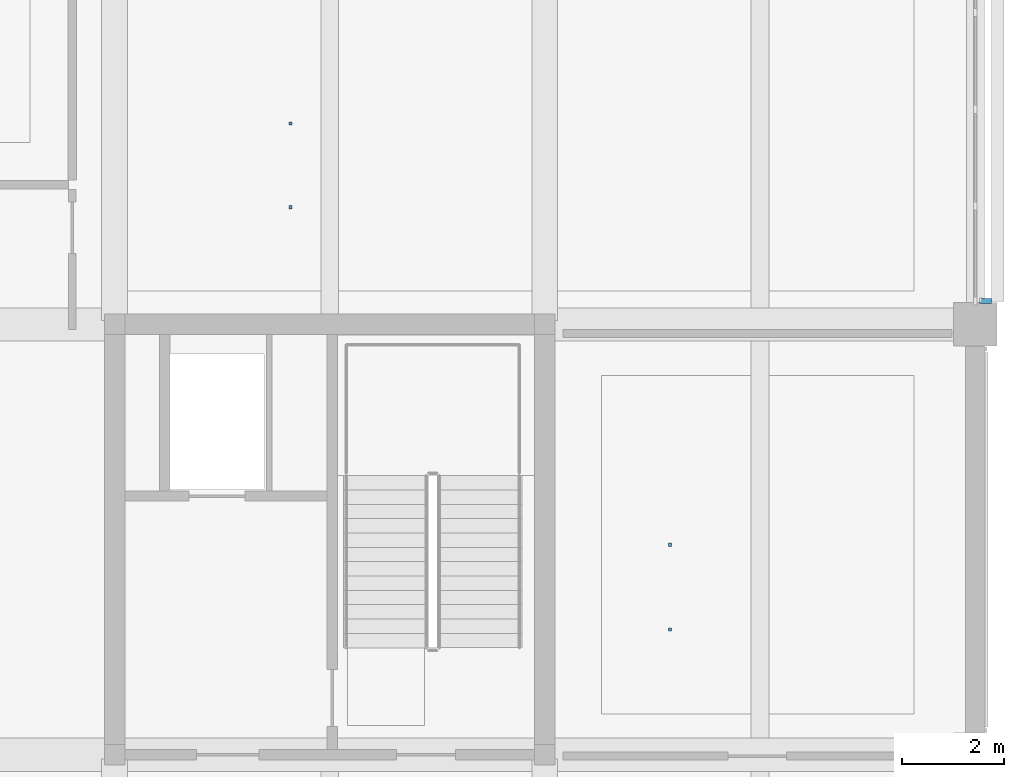
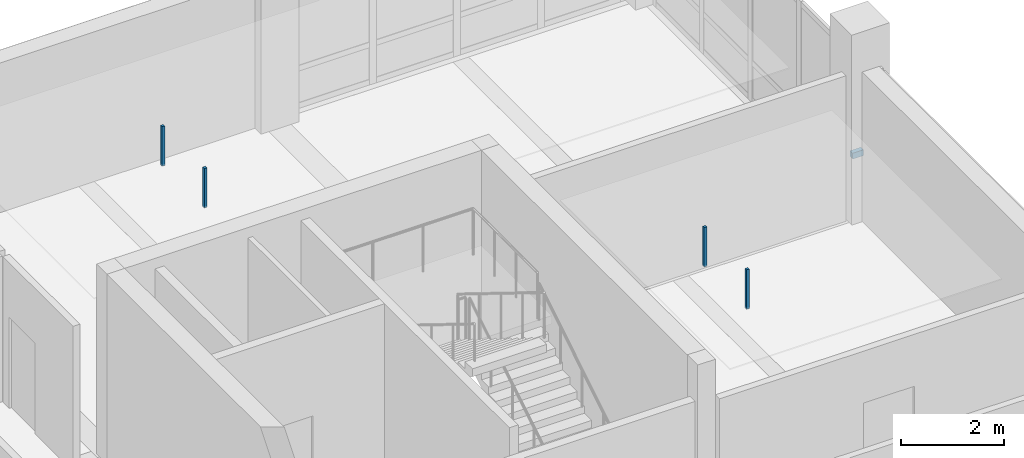
# One storey, part 20 of 36: 5 discrete accessories.
"""IFC4 building model written with IfcOpenShell, lengths in metres."""

from ifc_helpers import new_model, si_unit, direction, frame, origin, origin_2d, place, context, subcontext, project, spatial, rectangle, extrude, material, type_object, element, save


model = new_model("IFC4")

# Units and contexts
model_context = context("Model", 3, precision=1e-05, world=origin(), true_north=direction((0.0, 1.0)))
body_context = subcontext(model_context, "Body", "Model", "MODEL_VIEW")
ifc_project = project(units=[si_unit("LENGTHUNIT", "METRE"), si_unit("AREAUNIT", "SQUARE_METRE"), si_unit("VOLUMEUNIT", "CUBIC_METRE"), si_unit("PLANEANGLEUNIT", "RADIAN"), si_unit("MASSUNIT", "GRAM", prefix="KILO")], contexts=[model_context])

# Site, building, storey
site_placement = place(None, origin())
site = spatial("IfcSite", under=ifc_project, at=site_placement, CompositionType="ELEMENT")
building_placement = place(site_placement, origin())
building = spatial("IfcBuilding", under=site, at=building_placement, Name="Telukmera Botanical Conservatory", CompositionType="ELEMENT")
storey_placement = place(building_placement, frame((0.0, 0.0, 24.0)))
storey = spatial("IfcBuildingStorey", under=building, at=storey_placement, Name="L05", CompositionType="ELEMENT", Elevation=24.0)

# Discrete accessories
ifc_material = material(Name="Steel S355", Category="steel")
discrete_accessory_type_1 = type_object("IfcDiscreteAccessoryType", Name="ACC-CEIL-HGR", PredefinedType="BRACKET", material=ifc_material)
for number, where, z_axis, x_axis, name in (
    (1, (103.241943359375, 28.449951171875, 3.320068359375), (0.0, 0.0, 1.0), (1.0, 0.0, 0.0), "L05 Suspended Ceiling Hanger Rod 019-1"),
    (2, (103.241943359375, 30.10009765625, 3.320068359375), (0.0, 0.0, 1.0), (1.0, 0.0, 0.0), "L05 Suspended Ceiling Hanger Rod 019-2"),
    (3, (95.83203125, 36.6875, 3.320068359375), (0.0, 0.0, 1.0), (1.0, 0.0, 0.0), "L05 Suspended Ceiling Hanger Rod 039-1"),
    (4, (95.83203125, 38.324951171875, 3.320068359375), (0.0, 0.0, 1.0), (1.0, 0.0, 0.0), "L05 Suspended Ceiling Hanger Rod 039-2"),
):
    element("IfcDiscreteAccessory", number, at=place(storey_placement, frame(where, z_axis=z_axis, x_axis=x_axis)), inside=storey, type_object=discrete_accessory_type_1, Name=name, PredefinedType="BRACKET", context=body_context, shape_type="SweptSolid", body=[
        extrude(rectangle(XDim=0.06005859375, YDim=0.06005859375, at=origin_2d()), origin(), (0.0, 0.0, 1.0), 0.93505859375),
    ])
discrete_accessory_type_2 = type_object("IfcDiscreteAccessoryType", Name="Structural Steel Facade Outrigger Fin Bracket", PredefinedType="BRACKET", material=ifc_material)
discrete_accessory_placement = place(storey_placement, frame((109.39990234375, 34.859619140625, 0.8798828125), z_axis=(0.0, 0.0, 1.0), x_axis=(0.0, 1.0, 0.0)))
element("IfcDiscreteAccessory", 5, at=discrete_accessory_placement, inside=storey, type_object=discrete_accessory_type_2, Name="Facade Outrigger Bracket V4:L05:E4 A", PredefinedType="BRACKET", context=body_context, shape_type="SweptSolid", body=[
    extrude(rectangle(XDim=0.10009765625, YDim=0.239990234375, at=origin_2d()), origin(), (0.0, 0.0, 1.0), 0.139892578125),
])

save(model, "model.ifc")
